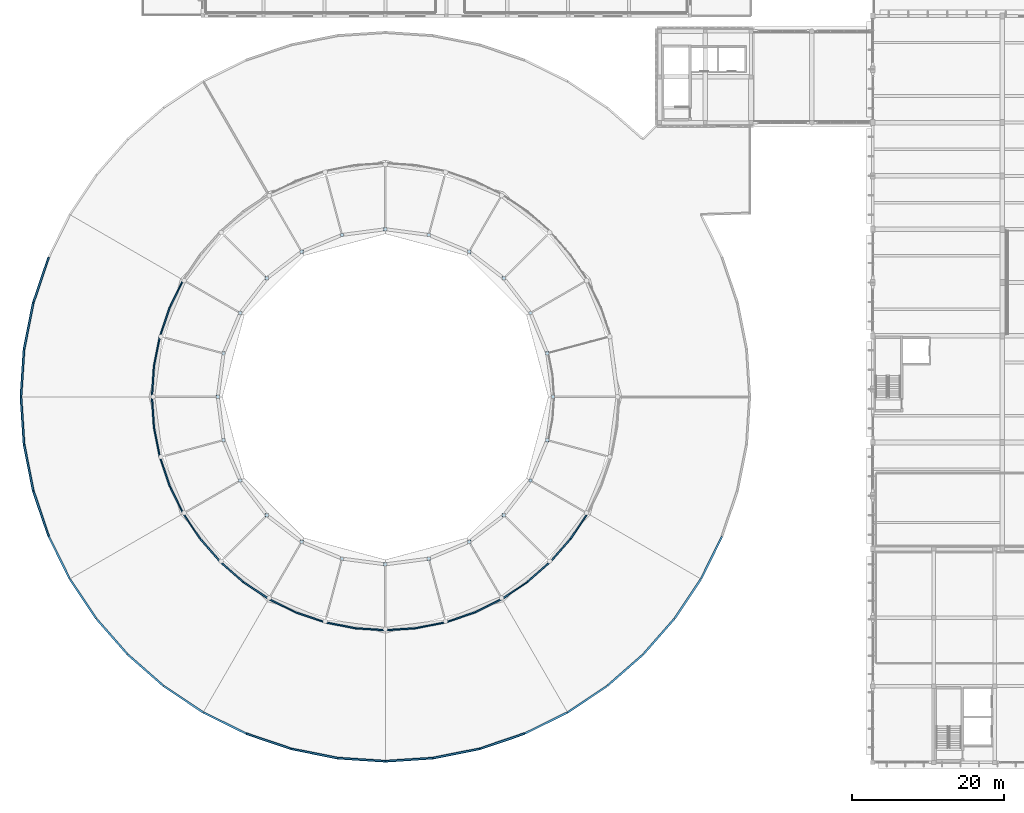
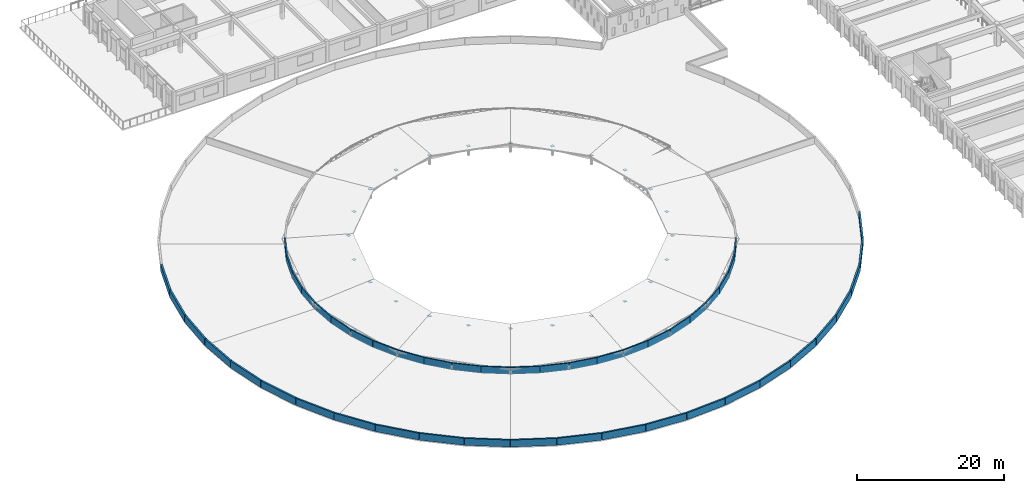
# One storey, part 52 of 77: 48 walls, 24 plates.
"""IFC4 building model written with IfcOpenShell, lengths in metres."""

from ifc_helpers import new_model, si_unit, direction, frame, frame_2d, origin, origin_2d, place, context, subcontext, project, spatial, rectangle, extrude, material, layer, layer_set, type_object, element, save


model = new_model("IFC4")

# Units and contexts
model_context = context("Model", 3, precision=1e-05, world=origin(), true_north=direction((0.0, 1.0)))
body_context = subcontext(model_context, "Body", "Model", "MODEL_VIEW")
ifc_project = project(units=[si_unit("LENGTHUNIT", "METRE"), si_unit("AREAUNIT", "SQUARE_METRE"), si_unit("VOLUMEUNIT", "CUBIC_METRE"), si_unit("PLANEANGLEUNIT", "RADIAN"), si_unit("MASSUNIT", "GRAM", prefix="KILO")], contexts=[model_context])

# Site, building, storey
site_placement = place(None, origin())
site = spatial("IfcSite", under=ifc_project, at=site_placement, CompositionType="ELEMENT")
building_placement = place(site_placement, origin())
building = spatial("IfcBuilding", under=site, at=building_placement, Name="Larkveld Mobility Hub", CompositionType="ELEMENT")
storey_placement = place(building_placement, frame((0.0, 0.0, 12.0)))
storey = spatial("IfcBuildingStorey", under=building, at=storey_placement, Name="L03", CompositionType="ELEMENT", Elevation=12.0)

# Plates
ifc_material_1 = material(Name="Steel S355JR", Category="steel")
ifc_layer_1 = layer(ifc_material_1, 0.43994140625, Name="Steel S355JR", Category="steel")
ifc_layer_set_1 = layer_set([ifc_layer_1], Name="Steel S355JR")
plate_type = type_object("IfcPlateType", Name="PT-EC03", PredefinedType="USERDEFINED", material=ifc_layer_set_1)
for number, where, z_axis, x_axis, name in (
    (1, (70.0, 48.0, 1.51806640625), (0.0, 0.0, 1.0), (1.0, 0.0, 0.0), "Hollow Column Top Cap Plate DRM-R22-K00"),
    (2, (69.25, 53.694091796875, 1.51806640625), (0.0, 0.0, 1.0), (1.0, 0.0, 0.0), "Hollow Column Top Cap Plate DRM-R22-K02"),
    (3, (67.052978515625, 59.0, 1.51806640625), (0.0, 0.0, 1.0), (1.0, 0.0, 0.0), "Hollow Column Top Cap Plate DRM-R22-K04"),
    (4, (63.555908203125, 63.555908203125, 1.51806640625), (0.0, 0.0, 1.0), (1.0, 0.0, 0.0), "Hollow Column Top Cap Plate DRM-R22-K06"),
    (5, (59.0, 67.052978515625, 1.51806640625), (0.0, 0.0, 1.0), (1.0, 0.0, 0.0), "Hollow Column Top Cap Plate DRM-R22-K08"),
    (6, (53.694091796875, 69.25, 1.51806640625), (0.0, 0.0, 1.0), (1.0, 0.0, 0.0), "Hollow Column Top Cap Plate DRM-R22-K10"),
    (7, (48.0, 70.0, 1.51806640625), (0.0, 0.0, 1.0), (1.0, 0.0, 0.0), "Hollow Column Top Cap Plate DRM-R22-K12"),
    (8, (42.305908203125, 69.25, 1.51806640625), (0.0, 0.0, 1.0), (1.0, 0.0, 0.0), "Hollow Column Top Cap Plate DRM-R22-K14"),
    (9, (37.0, 67.052978515625, 1.51806640625), (0.0, 0.0, 1.0), (1.0, 0.0, 0.0), "Hollow Column Top Cap Plate DRM-R22-K16"),
    (10, (32.444091796875, 63.555908203125, 1.51806640625), (0.0, 0.0, 1.0), (1.0, 0.0, 0.0), "Hollow Column Top Cap Plate DRM-R22-K18"),
    (11, (28.947021484375, 59.0, 1.51806640625), (0.0, 0.0, 1.0), (1.0, 0.0, 0.0), "Hollow Column Top Cap Plate DRM-R22-K20"),
    (12, (26.75, 53.694091796875, 1.51806640625), (0.0, 0.0, 1.0), (1.0, 0.0, 0.0), "Hollow Column Top Cap Plate DRM-R22-K22"),
    (13, (26.0, 48.0, 1.51806640625), (0.0, 0.0, 1.0), (1.0, 0.0, 0.0), "Hollow Column Top Cap Plate DRM-R22-K24"),
    (14, (26.75, 42.305908203125, 1.51806640625), (0.0, 0.0, 1.0), (1.0, 0.0, 0.0), "Hollow Column Top Cap Plate DRM-R22-K26"),
    (15, (28.947021484375, 37.0, 1.51806640625), (0.0, 0.0, 1.0), (1.0, 0.0, 0.0), "Hollow Column Top Cap Plate DRM-R22-K28"),
    (16, (32.444091796875, 32.444091796875, 1.51806640625), (0.0, 0.0, 1.0), (1.0, 0.0, 0.0), "Hollow Column Top Cap Plate DRM-R22-K30"),
    (17, (37.0, 28.947021484375, 1.51806640625), (0.0, 0.0, 1.0), (1.0, 0.0, 0.0), "Hollow Column Top Cap Plate DRM-R22-K32"),
    (18, (42.305908203125, 26.75, 1.51806640625), (0.0, 0.0, 1.0), (1.0, 0.0, 0.0), "Hollow Column Top Cap Plate DRM-R22-K34"),
    (19, (48.0, 26.0, 1.51806640625), (0.0, 0.0, 1.0), (1.0, 0.0, 0.0), "Hollow Column Top Cap Plate DRM-R22-K36"),
    (20, (53.694091796875, 26.75, 1.51806640625), (0.0, 0.0, 1.0), (1.0, 0.0, 0.0), "Hollow Column Top Cap Plate DRM-R22-K38"),
    (21, (59.0, 28.947021484375, 1.51806640625), (0.0, 0.0, 1.0), (1.0, 0.0, 0.0), "Hollow Column Top Cap Plate DRM-R22-K40"),
    (22, (63.555908203125, 32.444091796875, 1.51806640625), (0.0, 0.0, 1.0), (1.0, 0.0, 0.0), "Hollow Column Top Cap Plate DRM-R22-K42"),
    (23, (67.052978515625, 37.0, 1.51806640625), (0.0, 0.0, 1.0), (1.0, 0.0, 0.0), "Hollow Column Top Cap Plate DRM-R22-K44"),
    (24, (69.25, 42.305908203125, 1.51806640625), (0.0, 0.0, 1.0), (1.0, 0.0, 0.0), "Hollow Column Top Cap Plate DRM-R22-K46"),
):
    element("IfcPlate", number, at=place(storey_placement, frame(where, z_axis=z_axis, x_axis=x_axis)), inside=storey, type_object=plate_type, Name=name, ObjectType="GUSSET PLATE", PredefinedType="USERDEFINED", context=body_context, shape_type="SweptSolid", body=[
        extrude(rectangle(XDim=0.43994140625, YDim=0.43994140625, at=origin_2d()), origin(), (0.0, 0.0, 1.0), 0.02001953125),
    ])

# Walls
ifc_material_2 = material(Name="Fired clay brick 25 MPa", Category="masonry")
ifc_layer_2 = layer(ifc_material_2, 0.199951171875, Name="Fired clay brick 25 MPa", Category="masonry")
ifc_layer_set_2 = layer_set([ifc_layer_2], Name="Fired clay brick 25 MPa")
wall_type_1 = type_object("IfcWallType", Name="WL-PAR-200", PredefinedType="PARAPET", material=ifc_layer_set_2)
wall_1_placement = place(storey_placement, frame((21.4560546875, 63.324951171875, 0.0), z_axis=(0.0, 0.0, 1.0), x_axis=(-0.442213306217, -0.89690991287, 0.0)))
element("IfcWall", 25, at=wall_1_placement, inside=storey, type_object=wall_type_1, Name="Drum Flat Roof Inner Parapet 0300", PredefinedType="PARAPET", context=body_context, shape_type="SweptSolid", body=[
    extrude(rectangle(XDim=4.00927734375, YDim=0.199951171875, at=frame_2d((2.004638671875, 0.0))), origin(), (0.0, 0.0, 1.0), 1.14990234375),
])
wall_2_placement = place(storey_placement, frame((19.68310546875, 59.72900390625, 0.0), z_axis=(0.0, 0.0, 1.0), x_axis=(-0.321557700371, -0.946889985865, 0.0)))
element("IfcWall", 26, at=wall_2_placement, inside=storey, type_object=wall_type_1, Name="Drum Flat Roof Inner Parapet 0301", PredefinedType="PARAPET", context=body_context, shape_type="SweptSolid", body=[
    extrude(rectangle(XDim=4.0087890625, YDim=0.199951171875, at=frame_2d((2.00439453125, 0.0))), origin(), (0.0, 0.0, 1.0), 1.14990234375),
])
wall_3_placement = place(storey_placement, frame((18.39404296875, 55.93310546875, 0.0), z_axis=(0.0, 0.0, 1.0), x_axis=(-0.195050336869, -0.980793233096, 0.0)))
element("IfcWall", 27, at=wall_3_placement, inside=storey, type_object=wall_type_1, Name="Drum Flat Roof Inner Parapet 0302", PredefinedType="PARAPET", context=body_context, shape_type="SweptSolid", body=[
    extrude(rectangle(XDim=4.009033203125, YDim=0.199951171875, at=frame_2d((2.00439453125, 0.0))), origin(), (0.0, 0.0, 1.0), 1.14990234375),
])
for number, where, z_axis, x_axis, name in (
    (28, (17.612060546875, 52.0009765625, 0.0), (0.0, 0.0, 1.0), (-0.065334844062, -0.997863396539, 0.0), "Drum Flat Roof Inner Parapet 0303"),
    (29, (17.35009765625, 48.0, 0.0), (0.0, 0.0, 1.0), (0.065334844062, -0.997863396539, 0.0), "Drum Flat Roof Inner Parapet 0304"),
):
    element("IfcWall", number, at=place(storey_placement, frame(where, z_axis=z_axis, x_axis=x_axis)), inside=storey, type_object=wall_type_1, Name=name, PredefinedType="PARAPET", context=body_context, shape_type="SweptSolid", body=[
        extrude(rectangle(XDim=4.009521484375, YDim=0.199951171875, at=frame_2d((2.0048828125, 0.0))), origin(), (0.0, 0.0, 1.0), 1.14990234375),
    ])
wall_4_placement = place(storey_placement, frame((17.612060546875, 43.9990234375, 0.0), z_axis=(0.0, 0.0, 1.0), x_axis=(0.195050336869, -0.980793233096, 0.0)))
element("IfcWall", 30, at=wall_4_placement, inside=storey, type_object=wall_type_1, Name="Drum Flat Roof Inner Parapet 0305", PredefinedType="PARAPET", context=body_context, shape_type="SweptSolid", body=[
    extrude(rectangle(XDim=4.009033203125, YDim=0.199951171875, at=frame_2d((2.00439453125, 0.0))), origin(), (0.0, 0.0, 1.0), 1.14990234375),
])
wall_5_placement = place(storey_placement, frame((18.39404296875, 40.06689453125, 0.0), z_axis=(0.0, 0.0, 1.0), x_axis=(0.321557700371, -0.946889985865, 0.0)))
element("IfcWall", 31, at=wall_5_placement, inside=storey, type_object=wall_type_1, Name="Drum Flat Roof Inner Parapet 0306", PredefinedType="PARAPET", context=body_context, shape_type="SweptSolid", body=[
    extrude(rectangle(XDim=4.0087890625, YDim=0.199951171875, at=frame_2d((2.00439453125, 0.0))), origin(), (0.0, 0.0, 1.0), 1.14990234375),
])
wall_6_placement = place(storey_placement, frame((19.68310546875, 36.27099609375, 0.0), z_axis=(0.0, 0.0, 1.0), x_axis=(0.442213306217, -0.89690991287, 0.0)))
element("IfcWall", 32, at=wall_6_placement, inside=storey, type_object=wall_type_1, Name="Drum Flat Roof Inner Parapet 0307", PredefinedType="PARAPET", context=body_context, shape_type="SweptSolid", body=[
    extrude(rectangle(XDim=4.00927734375, YDim=0.199951171875, at=frame_2d((2.004638671875, 0.0))), origin(), (0.0, 0.0, 1.0), 1.14990234375),
])
wall_7_placement = place(storey_placement, frame((21.4560546875, 32.675048828125, 0.0), z_axis=(0.0, 0.0, 1.0), x_axis=(0.555627161516, -0.831431571078, 0.0)))
element("IfcWall", 33, at=wall_7_placement, inside=storey, type_object=wall_type_1, Name="Drum Flat Roof Inner Parapet 0308", PredefinedType="PARAPET", context=body_context, shape_type="SweptSolid", body=[
    extrude(rectangle(XDim=4.010009765625, YDim=0.199951171875, at=frame_2d((2.0048828125, 0.0))), origin(), (0.0, 0.0, 1.0), 1.14990234375),
])
for number, where, z_axis, x_axis, name in (
    (34, (23.68408203125, 29.341064453125, 0.0), (0.0, 0.0, 1.0), (0.65927174728, -0.75190475676, 0.0), "Drum Flat Roof Inner Parapet 0309"),
    (35, (26.326904296875, 26.326904296875, 0.0), (0.0, 0.0, 1.0), (0.75190475676, -0.65927174728, 0.0), "Drum Flat Roof Inner Parapet 0310"),
):
    element("IfcWall", number, at=place(storey_placement, frame(where, z_axis=z_axis, x_axis=x_axis)), inside=storey, type_object=wall_type_1, Name=name, PredefinedType="PARAPET", context=body_context, shape_type="SweptSolid", body=[
        extrude(rectangle(XDim=4.0087890625, YDim=0.199951171875, at=frame_2d((2.00439453125, 0.0))), origin(), (0.0, 0.0, 1.0), 1.14990234375),
    ])
wall_8_placement = place(storey_placement, frame((29.341064453125, 23.68408203125, 0.0), z_axis=(0.0, 0.0, 1.0), x_axis=(0.831431571078, -0.555627161516, 0.0)))
element("IfcWall", 36, at=wall_8_placement, inside=storey, type_object=wall_type_1, Name="Drum Flat Roof Inner Parapet 0311", PredefinedType="PARAPET", context=body_context, shape_type="SweptSolid", body=[
    extrude(rectangle(XDim=4.010009765625, YDim=0.199951171875, at=frame_2d((2.0048828125, 0.0))), origin(), (0.0, 0.0, 1.0), 1.14990234375),
])
wall_9_placement = place(storey_placement, frame((32.675048828125, 21.4560546875, 0.0), z_axis=(0.0, 0.0, 1.0), x_axis=(0.89690991287, -0.442213306217, 0.0)))
element("IfcWall", 37, at=wall_9_placement, inside=storey, type_object=wall_type_1, Name="Drum Flat Roof Inner Parapet 0312", PredefinedType="PARAPET", context=body_context, shape_type="SweptSolid", body=[
    extrude(rectangle(XDim=4.00927734375, YDim=0.199951171875, at=frame_2d((2.004638671875, 0.0))), origin(), (0.0, 0.0, 1.0), 1.14990234375),
])
wall_10_placement = place(storey_placement, frame((36.27099609375, 19.68310546875, 0.0), z_axis=(0.0, 0.0, 1.0), x_axis=(0.946889985865, -0.321557700371, 0.0)))
element("IfcWall", 38, at=wall_10_placement, inside=storey, type_object=wall_type_1, Name="Drum Flat Roof Inner Parapet 0313", PredefinedType="PARAPET", context=body_context, shape_type="SweptSolid", body=[
    extrude(rectangle(XDim=4.0087890625, YDim=0.199951171875, at=frame_2d((2.00439453125, 0.0))), origin(), (0.0, 0.0, 1.0), 1.14990234375),
])
wall_11_placement = place(storey_placement, frame((40.06689453125, 18.39404296875, 0.0), z_axis=(0.0, 0.0, 1.0), x_axis=(0.980793233096, -0.195050336869, 0.0)))
element("IfcWall", 39, at=wall_11_placement, inside=storey, type_object=wall_type_1, Name="Drum Flat Roof Inner Parapet 0314", PredefinedType="PARAPET", context=body_context, shape_type="SweptSolid", body=[
    extrude(rectangle(XDim=4.009033203125, YDim=0.199951171875, at=frame_2d((2.00439453125, 0.0))), origin(), (0.0, 0.0, 1.0), 1.14990234375),
])
for number, where, z_axis, x_axis, name in (
    (40, (43.9990234375, 17.612060546875, 0.0), (0.0, 0.0, 1.0), (0.997863396539, -0.065334844062, 0.0), "Drum Flat Roof Inner Parapet 0315"),
    (41, (48.0, 17.35009765625, 0.0), (0.0, 0.0, 1.0), (0.997863396539, 0.065334844062, 0.0), "Drum Flat Roof Inner Parapet 0316"),
):
    element("IfcWall", number, at=place(storey_placement, frame(where, z_axis=z_axis, x_axis=x_axis)), inside=storey, type_object=wall_type_1, Name=name, PredefinedType="PARAPET", context=body_context, shape_type="SweptSolid", body=[
        extrude(rectangle(XDim=4.009521484375, YDim=0.199951171875, at=frame_2d((2.0048828125, 0.0))), origin(), (0.0, 0.0, 1.0), 1.14990234375),
    ])
wall_12_placement = place(storey_placement, frame((52.0009765625, 17.612060546875, 0.0), z_axis=(0.0, 0.0, 1.0), x_axis=(0.980793233096, 0.195050336869, 0.0)))
element("IfcWall", 42, at=wall_12_placement, inside=storey, type_object=wall_type_1, Name="Drum Flat Roof Inner Parapet 0317", PredefinedType="PARAPET", context=body_context, shape_type="SweptSolid", body=[
    extrude(rectangle(XDim=4.009033203125, YDim=0.199951171875, at=frame_2d((2.00439453125, 0.0))), origin(), (0.0, 0.0, 1.0), 1.14990234375),
])
wall_13_placement = place(storey_placement, frame((55.93310546875, 18.39404296875, 0.0), z_axis=(0.0, 0.0, 1.0), x_axis=(0.946889985865, 0.321557700371, 0.0)))
element("IfcWall", 43, at=wall_13_placement, inside=storey, type_object=wall_type_1, Name="Drum Flat Roof Inner Parapet 0318", PredefinedType="PARAPET", context=body_context, shape_type="SweptSolid", body=[
    extrude(rectangle(XDim=4.0087890625, YDim=0.199951171875, at=frame_2d((2.00439453125, 0.0))), origin(), (0.0, 0.0, 1.0), 1.14990234375),
])
wall_14_placement = place(storey_placement, frame((59.72900390625, 19.68310546875, 0.0), z_axis=(0.0, 0.0, 1.0), x_axis=(0.89690991287, 0.442213306217, 0.0)))
element("IfcWall", 44, at=wall_14_placement, inside=storey, type_object=wall_type_1, Name="Drum Flat Roof Inner Parapet 0319", PredefinedType="PARAPET", context=body_context, shape_type="SweptSolid", body=[
    extrude(rectangle(XDim=4.00927734375, YDim=0.199951171875, at=frame_2d((2.004638671875, 0.0))), origin(), (0.0, 0.0, 1.0), 1.14990234375),
])
wall_15_placement = place(storey_placement, frame((63.324951171875, 21.4560546875, 0.0), z_axis=(0.0, 0.0, 1.0), x_axis=(0.831431571078, 0.555627161516, 0.0)))
element("IfcWall", 45, at=wall_15_placement, inside=storey, type_object=wall_type_1, Name="Drum Flat Roof Inner Parapet 0320", PredefinedType="PARAPET", context=body_context, shape_type="SweptSolid", body=[
    extrude(rectangle(XDim=4.010009765625, YDim=0.199951171875, at=frame_2d((2.0048828125, 0.0))), origin(), (0.0, 0.0, 1.0), 1.14990234375),
])
for number, where, z_axis, x_axis, name in (
    (46, (66.658935546875, 23.68408203125, 0.0), (0.0, 0.0, 1.0), (0.75190475676, 0.65927174728, 0.0), "Drum Flat Roof Inner Parapet 0321"),
    (47, (69.673095703125, 26.326904296875, 0.0), (0.0, 0.0, 1.0), (0.65927174728, 0.75190475676, 0.0), "Drum Flat Roof Inner Parapet 0322"),
):
    element("IfcWall", number, at=place(storey_placement, frame(where, z_axis=z_axis, x_axis=x_axis)), inside=storey, type_object=wall_type_1, Name=name, PredefinedType="PARAPET", context=body_context, shape_type="SweptSolid", body=[
        extrude(rectangle(XDim=4.0087890625, YDim=0.199951171875, at=frame_2d((2.00439453125, 0.0))), origin(), (0.0, 0.0, 1.0), 1.14990234375),
    ])
wall_16_placement = place(storey_placement, frame((72.31591796875, 29.341064453125, 0.0), z_axis=(0.0, 0.0, 1.0), x_axis=(0.555627161516, 0.831431571078, 0.0)))
element("IfcWall", 48, at=wall_16_placement, inside=storey, type_object=wall_type_1, Name="Drum Flat Roof Inner Parapet 0323", PredefinedType="PARAPET", context=body_context, shape_type="SweptSolid", body=[
    extrude(rectangle(XDim=4.010009765625, YDim=0.199951171875, at=frame_2d((2.0048828125, 0.0))), origin(), (0.0, 0.0, 1.0), 1.14990234375),
])
ifc_layer_3 = layer(ifc_material_2, 0.25, Name="Fired clay brick 25 MPa", Category="masonry")
ifc_layer_set_3 = layer_set([ifc_layer_3], Name="Fired clay brick 25 MPa")
wall_type_2 = type_object("IfcWallType", Name="WL-PAR-250", PredefinedType="PARAPET", material=ifc_layer_set_3)
wall_17_placement = place(storey_placement, frame((3.783935546875, 66.2880859375, 0.0), z_axis=(0.0, 0.0, 1.0), x_axis=(-0.321364960579, -0.946955417172, 0.0)))
element("IfcWall", 49, at=wall_17_placement, inside=storey, type_object=wall_type_2, Name="Drum Uniform Outer Brick Parapet 0269", PredefinedType="PARAPET", context=body_context, shape_type="SweptSolid", body=[
    extrude(rectangle(XDim=6.21044921875, YDim=0.25, at=frame_2d((3.105224609375, 0.0))), origin(), (0.0, 0.0, 1.0), 1.14990234375),
])
wall_18_placement = place(storey_placement, frame((1.77490234375, 60.360107421875, 0.0), z_axis=(0.0, 0.0, 1.0), x_axis=(-0.195019632022, -0.980799338869, 0.0)))
element("IfcWall", 50, at=wall_18_placement, inside=storey, type_object=wall_type_2, Name="Drum Uniform Outer Brick Parapet 0270", PredefinedType="PARAPET", context=body_context, shape_type="SweptSolid", body=[
    extrude(rectangle(XDim=6.209228515625, YDim=0.25, at=frame_2d((3.1044921875, 0.0))), origin(), (0.0, 0.0, 1.0), 1.14990234375),
])
for number, where, z_axis, x_axis, name in (
    (51, (0.556884765625, 54.221923828125, 0.0), (0.0, 0.0, 1.0), (-0.065170180182, -0.997874164219, 0.0), "Drum Uniform Outer Brick Parapet 0271"),
    (52, (0.152099609375, 47.97607421875, 0.0), (0.0, 0.0, 1.0), (0.065170180182, -0.997874164219, 0.0), "Drum Uniform Outer Brick Parapet 0272"),
):
    element("IfcWall", number, at=place(storey_placement, frame(where, z_axis=z_axis, x_axis=x_axis)), inside=storey, type_object=wall_type_2, Name=name, PredefinedType="PARAPET", context=body_context, shape_type="SweptSolid", body=[
        extrude(rectangle(XDim=6.211181640625, YDim=0.25, at=frame_2d((3.10546875, 0.0))), origin(), (0.0, 0.0, 1.0), 1.14990234375),
    ])
wall_19_placement = place(storey_placement, frame((0.56396484375, 41.72998046875, 0.0), z_axis=(0.0, 0.0, 1.0), x_axis=(0.195019632022, -0.980799338869, 0.0)))
element("IfcWall", 53, at=wall_19_placement, inside=storey, type_object=wall_type_2, Name="Drum Uniform Outer Brick Parapet 0273", PredefinedType="PARAPET", context=body_context, shape_type="SweptSolid", body=[
    extrude(rectangle(XDim=6.209228515625, YDim=0.25, at=frame_2d((3.1044921875, 0.0))), origin(), (0.0, 0.0, 1.0), 1.14990234375),
])
wall_20_placement = place(storey_placement, frame((1.7880859375, 35.593017578125, 0.0), z_axis=(0.0, 0.0, 1.0), x_axis=(0.321364960579, -0.946955417172, 0.0)))
element("IfcWall", 54, at=wall_20_placement, inside=storey, type_object=wall_type_2, Name="Drum Uniform Outer Brick Parapet 0274", PredefinedType="PARAPET", context=body_context, shape_type="SweptSolid", body=[
    extrude(rectangle(XDim=6.21044921875, YDim=0.25, at=frame_2d((3.105224609375, 0.0))), origin(), (0.0, 0.0, 1.0), 1.14990234375),
])
for number, where, z_axis, x_axis, name in (
    (55, (3.802978515625, 29.6669921875, 0.0), (0.0, 0.0, 1.0), (0.442316740488, -0.896858908126, 0.0), "Drum Uniform Outer Brick Parapet 0275"),
    (56, (6.573974609375, 24.054931640625, 0.0), (0.0, 0.0, 1.0), (0.555634193664, -0.831426871608, 0.0), "Drum Uniform Outer Brick Parapet 0276"),
):
    element("IfcWall", number, at=place(storey_placement, frame(where, z_axis=z_axis, x_axis=x_axis)), inside=storey, type_object=wall_type_2, Name=name, PredefinedType="PARAPET", context=body_context, shape_type="SweptSolid", body=[
        extrude(rectangle(XDim=6.210693359375, YDim=0.25, at=frame_2d((3.10546875, 0.0))), origin(), (0.0, 0.0, 1.0), 1.14990234375),
    ])
for number, where, z_axis, x_axis, name in (
    (57, (10.053955078125, 18.85302734375, 0.0), (0.0, 0.0, 1.0), (0.65930569124, -0.751874993266, 0.0), "Drum Uniform Outer Brick Parapet 0277"),
    (58, (14.18310546875, 14.14892578125, 0.0), (0.0, 0.0, 1.0), (0.751874993266, -0.65930569124, 0.0), "Drum Uniform Outer Brick Parapet 0278"),
):
    element("IfcWall", number, at=place(storey_placement, frame(where, z_axis=z_axis, x_axis=x_axis)), inside=storey, type_object=wall_type_2, Name=name, PredefinedType="PARAPET", context=body_context, shape_type="SweptSolid", body=[
        extrude(rectangle(XDim=6.2109375, YDim=0.25, at=frame_2d((3.10546875, 0.0))), origin(), (0.0, 0.0, 1.0), 1.14990234375),
    ])
for number, where, z_axis, x_axis, name in (
    (59, (18.89111328125, 10.02490234375, 0.0), (0.0, 0.0, 1.0), (0.831426871608, -0.555634193664, 0.0), "Drum Uniform Outer Brick Parapet 0279"),
    (60, (24.096923828125, 6.550048828125, 0.0), (0.0, 0.0, 1.0), (0.896858908126, -0.442316740488, 0.0), "Drum Uniform Outer Brick Parapet 0280"),
):
    element("IfcWall", number, at=place(storey_placement, frame(where, z_axis=z_axis, x_axis=x_axis)), inside=storey, type_object=wall_type_2, Name=name, PredefinedType="PARAPET", context=body_context, shape_type="SweptSolid", body=[
        extrude(rectangle(XDim=6.210693359375, YDim=0.25, at=frame_2d((3.10546875, 0.0))), origin(), (0.0, 0.0, 1.0), 1.14990234375),
    ])
wall_21_placement = place(storey_placement, frame((29.7119140625, 3.783935546875, 0.0), z_axis=(0.0, 0.0, 1.0), x_axis=(0.946955417172, -0.321364960579, 0.0)))
element("IfcWall", 61, at=wall_21_placement, inside=storey, type_object=wall_type_2, Name="Drum Uniform Outer Brick Parapet 0281", PredefinedType="PARAPET", context=body_context, shape_type="SweptSolid", body=[
    extrude(rectangle(XDim=6.21044921875, YDim=0.25, at=frame_2d((3.105224609375, 0.0))), origin(), (0.0, 0.0, 1.0), 1.14990234375),
])
wall_22_placement = place(storey_placement, frame((35.639892578125, 1.77490234375, 0.0), z_axis=(0.0, 0.0, 1.0), x_axis=(0.980799338869, -0.195019632022, 0.0)))
element("IfcWall", 62, at=wall_22_placement, inside=storey, type_object=wall_type_2, Name="Drum Uniform Outer Brick Parapet 0282", PredefinedType="PARAPET", context=body_context, shape_type="SweptSolid", body=[
    extrude(rectangle(XDim=6.209228515625, YDim=0.25, at=frame_2d((3.1044921875, 0.0))), origin(), (0.0, 0.0, 1.0), 1.14990234375),
])
for number, where, z_axis, x_axis, name in (
    (63, (41.778076171875, 0.556884765625, 0.0), (0.0, 0.0, 1.0), (0.997874164219, -0.065170180182, 0.0), "Drum Uniform Outer Brick Parapet 0283"),
    (64, (48.02392578125, 0.152099609375, 0.0), (0.0, 0.0, 1.0), (0.997874164219, 0.065170180182, 0.0), "Drum Uniform Outer Brick Parapet 0284"),
):
    element("IfcWall", number, at=place(storey_placement, frame(where, z_axis=z_axis, x_axis=x_axis)), inside=storey, type_object=wall_type_2, Name=name, PredefinedType="PARAPET", context=body_context, shape_type="SweptSolid", body=[
        extrude(rectangle(XDim=6.211181640625, YDim=0.25, at=frame_2d((3.10546875, 0.0))), origin(), (0.0, 0.0, 1.0), 1.14990234375),
    ])
wall_23_placement = place(storey_placement, frame((54.27001953125, 0.56396484375, 0.0), z_axis=(0.0, 0.0, 1.0), x_axis=(0.980799338869, 0.195019632022, 0.0)))
element("IfcWall", 65, at=wall_23_placement, inside=storey, type_object=wall_type_2, Name="Drum Uniform Outer Brick Parapet 0285", PredefinedType="PARAPET", context=body_context, shape_type="SweptSolid", body=[
    extrude(rectangle(XDim=6.209228515625, YDim=0.25, at=frame_2d((3.1044921875, 0.0))), origin(), (0.0, 0.0, 1.0), 1.14990234375),
])
wall_24_placement = place(storey_placement, frame((60.406982421875, 1.7880859375, 0.0), z_axis=(0.0, 0.0, 1.0), x_axis=(0.946955417172, 0.321364960579, 0.0)))
element("IfcWall", 66, at=wall_24_placement, inside=storey, type_object=wall_type_2, Name="Drum Uniform Outer Brick Parapet 0286", PredefinedType="PARAPET", context=body_context, shape_type="SweptSolid", body=[
    extrude(rectangle(XDim=6.21044921875, YDim=0.25, at=frame_2d((3.105224609375, 0.0))), origin(), (0.0, 0.0, 1.0), 1.14990234375),
])
for number, where, z_axis, x_axis, name in (
    (67, (66.3330078125, 3.802978515625, 0.0), (0.0, 0.0, 1.0), (0.896858908126, 0.442316740488, 0.0), "Drum Uniform Outer Brick Parapet 0287"),
    (68, (71.945068359375, 6.573974609375, 0.0), (0.0, 0.0, 1.0), (0.831426871608, 0.555634193664, 0.0), "Drum Uniform Outer Brick Parapet 0288"),
):
    element("IfcWall", number, at=place(storey_placement, frame(where, z_axis=z_axis, x_axis=x_axis)), inside=storey, type_object=wall_type_2, Name=name, PredefinedType="PARAPET", context=body_context, shape_type="SweptSolid", body=[
        extrude(rectangle(XDim=6.210693359375, YDim=0.25, at=frame_2d((3.10546875, 0.0))), origin(), (0.0, 0.0, 1.0), 1.14990234375),
    ])
for number, where, z_axis, x_axis, name in (
    (69, (77.14697265625, 10.053955078125, 0.0), (0.0, 0.0, 1.0), (0.751874993266, 0.65930569124, 0.0), "Drum Uniform Outer Brick Parapet 0289"),
    (70, (81.85107421875, 14.18310546875, 0.0), (0.0, 0.0, 1.0), (0.65930569124, 0.751874993266, 0.0), "Drum Uniform Outer Brick Parapet 0290"),
):
    element("IfcWall", number, at=place(storey_placement, frame(where, z_axis=z_axis, x_axis=x_axis)), inside=storey, type_object=wall_type_2, Name=name, PredefinedType="PARAPET", context=body_context, shape_type="SweptSolid", body=[
        extrude(rectangle(XDim=6.2109375, YDim=0.25, at=frame_2d((3.10546875, 0.0))), origin(), (0.0, 0.0, 1.0), 1.14990234375),
    ])
for number, where, z_axis, x_axis, name in (
    (71, (85.97509765625, 18.89111328125, 0.0), (0.0, 0.0, 1.0), (0.555634193664, 0.831426871608, 0.0), "Drum Uniform Outer Brick Parapet 0291"),
    (72, (89.449951171875, 24.096923828125, 0.0), (0.0, 0.0, 1.0), (0.442316740488, 0.896858908126, 0.0), "Drum Uniform Outer Brick Parapet 0292"),
):
    element("IfcWall", number, at=place(storey_placement, frame(where, z_axis=z_axis, x_axis=x_axis)), inside=storey, type_object=wall_type_2, Name=name, PredefinedType="PARAPET", context=body_context, shape_type="SweptSolid", body=[
        extrude(rectangle(XDim=6.210693359375, YDim=0.25, at=frame_2d((3.10546875, 0.0))), origin(), (0.0, 0.0, 1.0), 1.14990234375),
    ])

save(model, "model.ifc")
